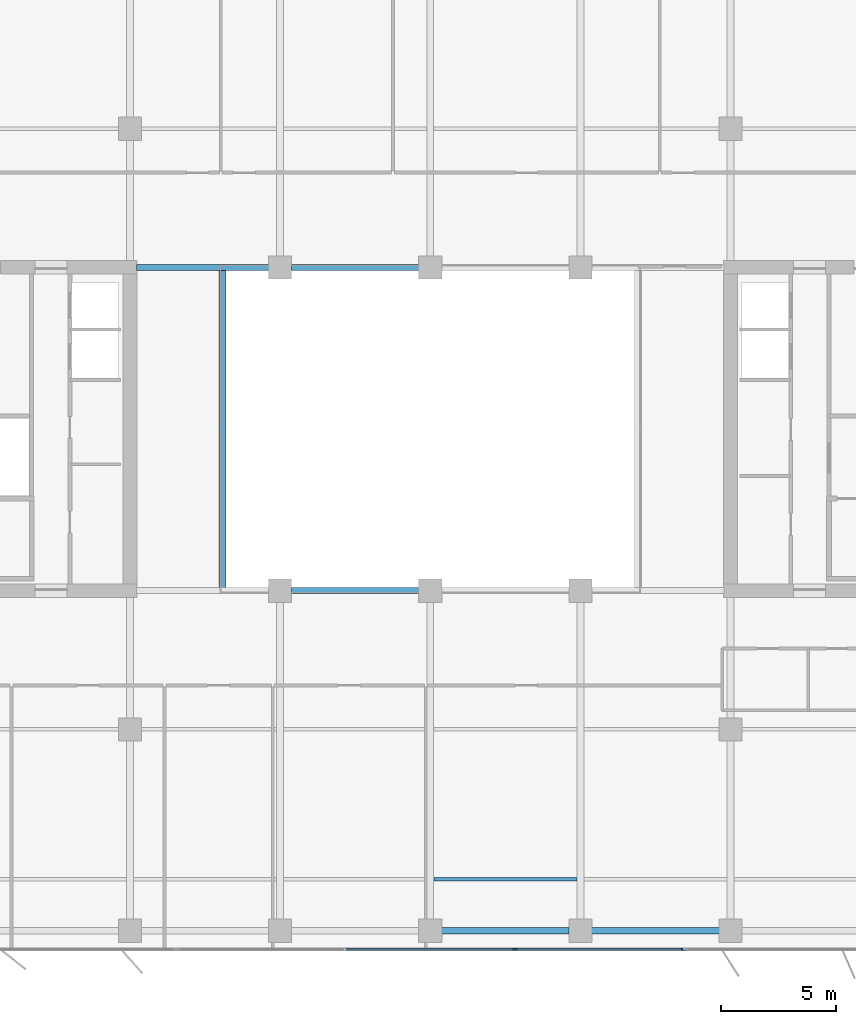
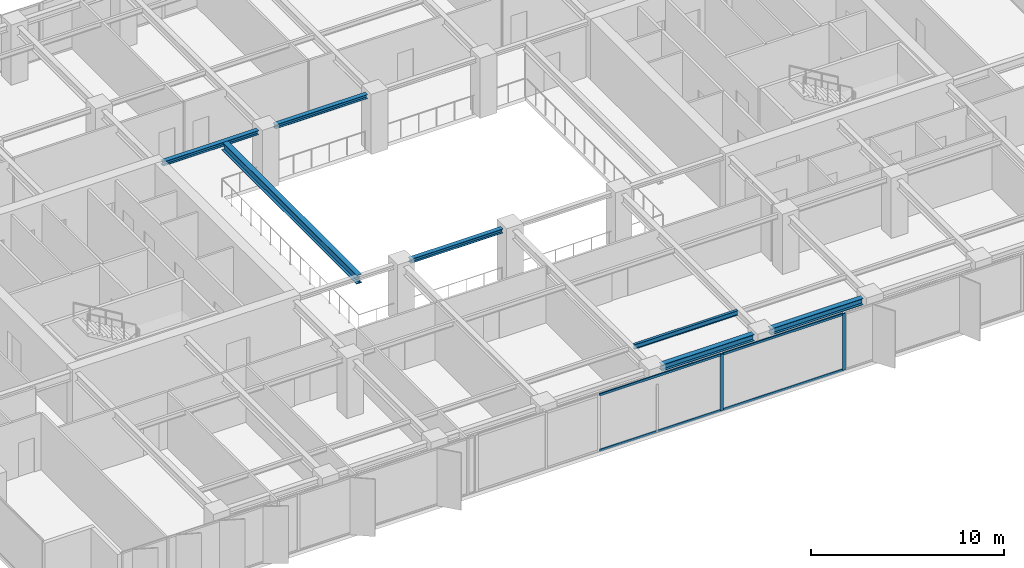
# One storey, part 5 of 22: 7 beams, 6 members, 1 element without a shape of its own.
"""IFC4 building model written with IfcOpenShell, lengths in metres."""

from ifc_helpers import new_model, si_unit, direction, frame, origin, origin_2d, place, context, subcontext, project, spatial, rectangle, i_section, extrude, material, layer, layer_set, material_profile, profile_set, type_object, element, aggregate, save


model = new_model("IFC4")

# Units and contexts
model_context = context("Model", 3, precision=1e-05, world=origin(), true_north=direction((0.0, 1.0)))
body_context = subcontext(model_context, "Body", "Model", "MODEL_VIEW")
ifc_project = project(units=[si_unit("LENGTHUNIT", "METRE"), si_unit("AREAUNIT", "SQUARE_METRE"), si_unit("VOLUMEUNIT", "CUBIC_METRE"), si_unit("PLANEANGLEUNIT", "RADIAN"), si_unit("MASSUNIT", "GRAM", prefix="KILO")], contexts=[model_context])

# Site, building, storey
site_placement = place(None, origin())
site = spatial("IfcSite", under=ifc_project, at=site_placement, CompositionType="ELEMENT")
building_placement = place(site_placement, origin())
building = spatial("IfcBuilding", under=site, at=building_placement, Name="Putna Gate Headquarters", CompositionType="ELEMENT")
storey_placement = place(building_placement, frame((0.0, 0.0, 182.199951171875)))
storey = spatial("IfcBuildingStorey", under=building, at=storey_placement, Name="L45", CompositionType="ELEMENT", Elevation=182.199951171875)

# Beams
ifc_material_1 = material(Name="Steel S355J2", Category="steel")
ifc_material_profile_1 = material_profile(ifc_material_1, i_section(OverallWidth=0.260009765625, OverallDepth=0.260009765625, WebThickness=0.010009765625, FlangeThickness=0.017578125, at=origin_2d()), Name="Steel S355J2")
ifc_profile_set_1 = profile_set([ifc_material_profile_1], Name="Steel S355J2")
beam_type_1 = type_object("IfcBeamType", Name="BM-ATRIUM-HEB260", PredefinedType="BEAM", material=ifc_profile_set_1)
beam_1_placement = place(storey_placement, frame((32.988037109375, 19.0, 3.442138671875), z_axis=(1.0, 0.0, 0.0), x_axis=(0.0, 1.0, 0.0)))
element("IfcBeam", 1, at=beam_1_placement, inside=storey, type_object=beam_type_1, Name="L45 Atrium Edge Beam AS2", PredefinedType="BEAM", context=body_context, shape_type="SweptSolid", body=[
    extrude(i_section(OverallWidth=0.260009765625, OverallDepth=0.260009765625, WebThickness=0.010009765625, FlangeThickness=0.017578125, at=origin_2d()), origin(), (0.0, 0.0, 1.0), 5.52392578125),
])
beam_2_placement = place(storey_placement, frame((26.284912109375, 33.0, 3.442138671875), z_axis=(1.0, 0.0, 0.0), x_axis=(0.0, 1.0, 0.0)))
element("IfcBeam", 2, at=beam_2_placement, inside=storey, type_object=beam_type_1, Name="L45 Atrium Edge Beam AN1", PredefinedType="BEAM", context=body_context, shape_type="SweptSolid", body=[
    extrude(i_section(OverallWidth=0.260009765625, OverallDepth=0.260009765625, WebThickness=0.010009765625, FlangeThickness=0.017578125, at=origin_2d()), origin(), (0.0, 0.0, 1.0), 5.72705078125),
])
beam_3_placement = place(storey_placement, frame((32.988037109375, 33.0, 3.442138671875), z_axis=(1.0, 0.0, 0.0), x_axis=(0.0, 1.0, 0.0)))
element("IfcBeam", 3, at=beam_3_placement, inside=storey, type_object=beam_type_1, Name="L45 Atrium Edge Beam AN2", PredefinedType="BEAM", context=body_context, shape_type="SweptSolid", body=[
    extrude(i_section(OverallWidth=0.260009765625, OverallDepth=0.260009765625, WebThickness=0.010009765625, FlangeThickness=0.017578125, at=origin_2d()), origin(), (0.0, 0.0, 1.0), 5.52392578125),
])
ifc_material_profile_2 = material_profile(ifc_material_1, i_section(OverallWidth=0.300048828125, OverallDepth=0.550048828125, WebThickness=0.014892578125, FlangeThickness=0.029052734375, at=origin_2d()), Name="Steel S355J2")
ifc_profile_set_2 = profile_set([ifc_material_profile_2], Name="Steel S355J2")
beam_type_2 = type_object("IfcBeamType", Name="BM-GIRD-Z3-HEB550", PredefinedType="USERDEFINED", material=ifc_profile_set_2)
beam_4_placement = place(storey_placement, frame((30.0, 19.010009765625, 3.297119140625), z_axis=(0.0, 1.0, 0.0), x_axis=(-1.0, 0.0, 0.0)))
element("IfcBeam", 4, at=beam_4_placement, inside=storey, type_object=beam_type_2, Name="L45 Atrium Trim Girder AW", ObjectType="GIRDER", PredefinedType="USERDEFINED", context=body_context, shape_type="SweptSolid", body=[
    extrude(i_section(OverallWidth=0.300048828125, OverallDepth=0.550048828125, WebThickness=0.014892578125, FlangeThickness=0.029052734375, at=origin_2d()), origin(), (0.0, 0.0, 1.0), 13.97998046875),
])
ifc_material_profile_3 = material_profile(ifc_material_1, i_section(OverallWidth=0.14990234375, OverallDepth=0.300048828125, WebThickness=0.007080078125, FlangeThickness=0.0107421875, at=origin_2d()), Name="Steel S355J2")
ifc_profile_set_3 = profile_set([ifc_material_profile_3], Name="Steel S355J2")
beam_type_3 = type_object("IfcBeamType", Name="BM-SEC-Z3-IPE300", PredefinedType="JOIST", material=ifc_profile_set_3)
beam_5_placement = place(storey_placement, frame((39.154052734375, 6.5, 3.422119140625), z_axis=(1.0, 0.0, 0.0), x_axis=(0.0, 1.0, 0.0)))
element("IfcBeam", 5, at=beam_5_placement, inside=storey, type_object=beam_type_3, Name="L45 South Secondary Beam 5", PredefinedType="JOIST", context=body_context, shape_type="SweptSolid", body=[
    extrude(i_section(OverallWidth=0.14990234375, OverallDepth=0.300048828125, WebThickness=0.007080078125, FlangeThickness=0.0107421875, at=origin_2d()), origin(), (0.0, 0.0, 1.0), 6.19189453125),
])
ifc_material_profile_4 = material_profile(ifc_material_1, i_section(OverallWidth=0.300048828125, OverallDepth=0.39990234375, WebThickness=0.013427734375, FlangeThickness=0.02392578125, at=origin_2d()), Name="Steel S355J2")
ifc_profile_set_4 = profile_set([ifc_material_profile_4], Name="Steel S355J2")
beam_type_4 = type_object("IfcBeamType", Name="BM-SPAN-Z3-HEB400", PredefinedType="SPANDREL", material=ifc_profile_set_4)
for number, where, z_axis, x_axis, name in (
    (6, (39.488037109375, 4.280029296875, 3.3720703125), (1.0, 0.0, 0.0), (0.0, 1.0, 0.0), "L45 S Perimeter Spandrel 5"),
    (7, (45.988037109375, 4.280029296875, 3.3720703125), (1.0, 0.0, 0.0), (0.0, 1.0, 0.0), "L45 S Perimeter Spandrel 6"),
):
    element("IfcBeam", number, at=place(storey_placement, frame(where, z_axis=z_axis, x_axis=x_axis)), inside=storey, type_object=beam_type_4, Name=name, PredefinedType="SPANDREL", context=body_context, shape_type="SweptSolid", body=[
        extrude(i_section(OverallWidth=0.300048828125, OverallDepth=0.39990234375, WebThickness=0.013427734375, FlangeThickness=0.02392578125, at=origin_2d()), origin(), (0.0, 0.0, 1.0), 5.52392578125),
    ])

# Curtain wall, members
ifc_material_2 = material(Name="Anodised bronze aluminium curtain wall", Category="aluminium")
ifc_layer = layer(ifc_material_2, 0.179931640625)
ifc_layer_set = layer_set([ifc_layer], Name="Anodised bronze aluminium curtain wall")
curtain_wall_type = type_object("IfcCurtainWallType", Name="CW-SYS-ATR", PredefinedType="USERDEFINED", material=ifc_layer_set)
curtain_wall_placement = place(storey_placement, origin())
curtain_wall = element("IfcCurtainWall", 8, at=curtain_wall_placement, inside=storey, type_object=curtain_wall_type, Name="L45 South Atrium Clear Glazing", ObjectType="ATRIUM GLAZING", PredefinedType="USERDEFINED")
ifc_material_3 = material(Name="Anodised bronze aluminium EN AW-6060", Category="aluminium")
ifc_material_profile_5 = material_profile(ifc_material_3, rectangle(XDim=0.070068359375, YDim=0.179931640625, at=origin_2d()), Name="Anodised bronze aluminium EN AW-6060")
ifc_profile_set_5 = profile_set([ifc_material_profile_5], Name="Anodised bronze aluminium EN AW-6060")
member_type_1 = type_object("IfcMemberType", Name="MULL-CWM-AT", PredefinedType="MULLION", material=ifc_profile_set_5)
member_1_placement = place(storey_placement, frame((42.666748046875, 3.47998046875, 0.0), z_axis=(0.0, 0.0, 1.0), x_axis=(0.0, 1.0, 0.0)))
member_1 = element("IfcMember", 9, at=member_1_placement, type_object=member_type_1, Name="CWS-AT mullion 3", PredefinedType="MULLION", context=body_context, shape_type="SweptSolid", body=[
    extrude(rectangle(XDim=0.070068359375, YDim=0.179931640625, at=origin_2d()), origin(), (0.0, 0.0, 1.0), 3.572021484375),
])
member_2_placement = place(storey_placement, frame((49.965087890625, 3.47998046875, 0.0), z_axis=(0.0, 0.0, 1.0), x_axis=(0.0, 1.0, 0.0)))
member_2 = element("IfcMember", 10, at=member_2_placement, type_object=member_type_1, Name="CWS-AT mullion 4", PredefinedType="MULLION", context=body_context, shape_type="SweptSolid", body=[
    extrude(rectangle(XDim=0.070068359375, YDim=0.179931640625, at=origin_2d()), origin(), (0.0, 0.0, 1.0), 3.572021484375),
])
ifc_material_profile_6 = material_profile(ifc_material_3, rectangle(XDim=0.070068359375, YDim=0.139892578125, at=origin_2d()), Name="Anodised bronze aluminium EN AW-6060")
ifc_profile_set_6 = profile_set([ifc_material_profile_6], Name="Anodised bronze aluminium EN AW-6060")
member_type_2 = type_object("IfcMemberType", Name="TRAN-CWT-AT", PredefinedType="USERDEFINED", material=ifc_profile_set_6)
member_3_placement = place(storey_placement, frame((35.368408203125, 3.47998046875, 0.03515625), z_axis=(1.0, 0.0, 0.0), x_axis=(0.0, 1.0, 0.0)))
member_3 = element("IfcMember", 11, at=member_3_placement, type_object=member_type_2, Name="CWS-AT transom 2.1", ObjectType="TRANSOM", PredefinedType="USERDEFINED", context=body_context, shape_type="SweptSolid", body=[
    extrude(rectangle(XDim=0.070068359375, YDim=0.139892578125, at=origin_2d()), origin(), (0.0, 0.0, 1.0), 7.26318359375),
])
member_4_placement = place(storey_placement, frame((35.368408203125, 3.47998046875, 3.537109375), z_axis=(1.0, 0.0, 0.0), x_axis=(0.0, 1.0, 0.0)))
member_4 = element("IfcMember", 12, at=member_4_placement, type_object=member_type_2, Name="CWS-AT transom 2.2", ObjectType="TRANSOM", PredefinedType="USERDEFINED", context=body_context, shape_type="SweptSolid", body=[
    extrude(rectangle(XDim=0.070068359375, YDim=0.139892578125, at=origin_2d()), origin(), (0.0, 0.0, 1.0), 7.26318359375),
])
member_5_placement = place(storey_placement, frame((42.70166015625, 3.47998046875, 0.03515625), z_axis=(1.0, 0.0, 0.0), x_axis=(0.0, 1.0, 0.0)))
member_5 = element("IfcMember", 13, at=member_5_placement, type_object=member_type_2, Name="CWS-AT transom 3.1", ObjectType="TRANSOM", PredefinedType="USERDEFINED", context=body_context, shape_type="SweptSolid", body=[
    extrude(rectangle(XDim=0.070068359375, YDim=0.139892578125, at=origin_2d()), origin(), (0.0, 0.0, 1.0), 7.228271484375),
])
member_6_placement = place(storey_placement, frame((42.70166015625, 3.47998046875, 3.537109375), z_axis=(1.0, 0.0, 0.0), x_axis=(0.0, 1.0, 0.0)))
member_6 = element("IfcMember", 14, at=member_6_placement, type_object=member_type_2, Name="CWS-AT transom 3.2", ObjectType="TRANSOM", PredefinedType="USERDEFINED", context=body_context, shape_type="SweptSolid", body=[
    extrude(rectangle(XDim=0.070068359375, YDim=0.139892578125, at=origin_2d()), origin(), (0.0, 0.0, 1.0), 7.228271484375),
])
aggregate(curtain_wall, [member_1, member_2, member_3, member_4, member_5, member_6])

save(model, "model.ifc")
